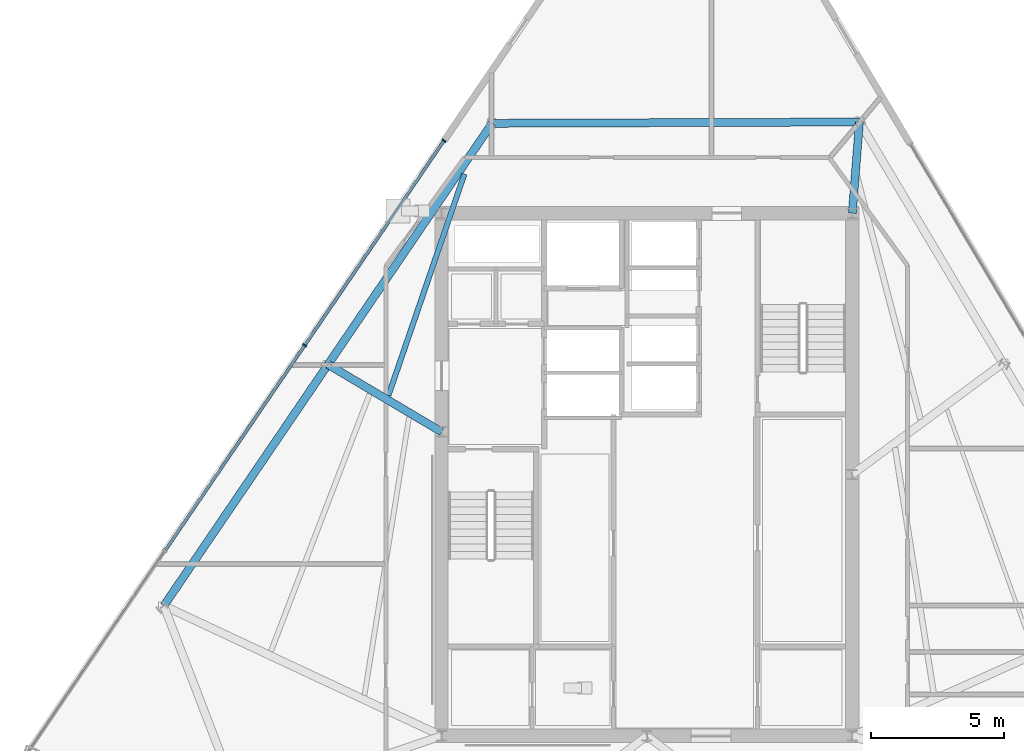
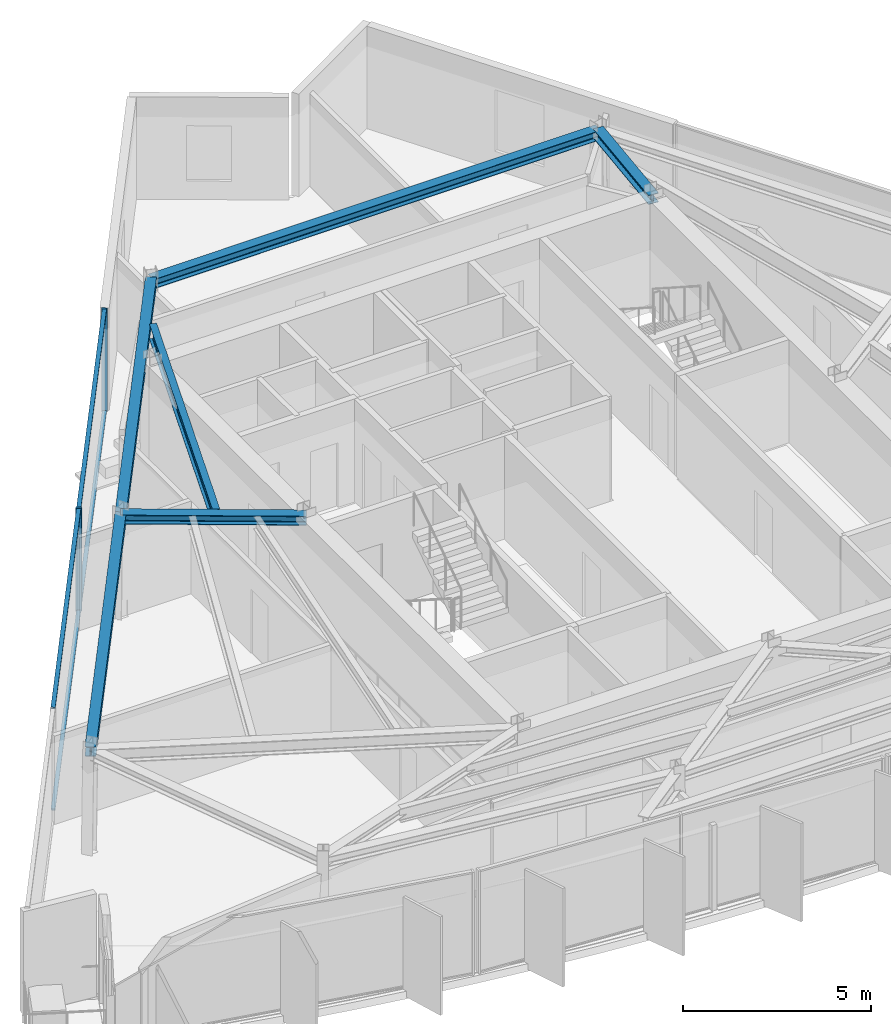
# One storey, part 4 of 12: 6 beams, 6 members, 1 element without a shape of its own.
"""IFC4 building model written with IfcOpenShell, lengths in metres."""

import ifcopenshell
import ifcopenshell.guid

model = None  # the IFC model being written
_history = None  # IfcOwnerHistory: only IFC2X3 demands one
_inside = {}  # id of a spatial element -> (the spatial element, [elements in it])
_under = {}  # id of a project, library or spatial element -> (it, [spatial elements below it])
_declared = {}  # id of a project -> (the project, [libraries it declares])
_typed = {}  # id of a type object -> (the type object, [elements of that type])
_made_of = {}  # id of a material, layer set ... -> (it, [elements and type objects made of it])


def new_model(schema):
    """Start an empty IFC model of exactly this schema.

    Asked for "IFC4X3", IfcOpenShell would pick the latest addendum, in which some entities
    have other attributes; the version numbers below select the first issue.
    IFC2X3 requires an IfcOwnerHistory on every rooted entity: one is made here for all.
    """
    global model, _history
    if schema == "IFC4X3":
        model = ifcopenshell.file(schema_version=(4, 3, 0, 0))
    else:
        model = ifcopenshell.file(schema=schema)
    _inside.clear()
    _under.clear()
    _declared.clear()
    _typed.clear()
    _made_of.clear()
    _history = None
    if model.schema == "IFC2X3":
        org = make("IfcOrganization", Name="unknown")
        user = make(
            "IfcPersonAndOrganization",
            ThePerson=make("IfcPerson", FamilyName="unknown"),
            TheOrganization=org,
        )
        app = make(
            "IfcApplication",
            ApplicationDeveloper=org,
            Version="unknown",
            ApplicationFullName="unknown",
            ApplicationIdentifier="unknown",
        )
        _history = make(
            "IfcOwnerHistory",
            OwningUser=user,
            OwningApplication=app,
            ChangeAction="ADDED",
            CreationDate=0,
        )
    return model


def make(cls, **values):
    """One entity of the class cls with the attributes given. An attribute that is None is left unset."""
    return model.create_entity(
        cls, **{name: value for name, value in values.items() if value is not None}
    )


def rooted(cls, **values):
    """An entity with a GlobalId (a new one), such as an element, a storey or a relation."""
    return make(cls, GlobalId=ifcopenshell.guid.new(), OwnerHistory=_history, **values)


def si_unit(unit_type, name, prefix=None):
    """IfcSIUnit, for example si_unit("LENGTHUNIT", "METRE", prefix="MILLI")."""
    return make("IfcSIUnit", UnitType=unit_type, Prefix=prefix, Name=name)


def assignment(units):
    """IfcUnitAssignment: the units of a project."""
    return None if units is None else make("IfcUnitAssignment", Units=units)


def point(xyz):
    """IfcCartesianPoint."""
    return None if xyz is None else make("IfcCartesianPoint", Coordinates=xyz)


def direction(xyz):
    """IfcDirection."""
    return None if xyz is None else make("IfcDirection", DirectionRatios=xyz)


def frame(location, z_axis=None, x_axis=None):
    """IfcAxis2Placement3D, a coordinate frame: its origin and axes. An axis left out is left unset."""
    return make(
        "IfcAxis2Placement3D",
        Location=point(location),
        Axis=direction(z_axis),
        RefDirection=direction(x_axis),
    )


def frame_2d(location, x_axis=None):
    """IfcAxis2Placement2D, a coordinate frame in the plane: its origin and x axis."""
    return make(
        "IfcAxis2Placement2D", Location=point(location), RefDirection=direction(x_axis)
    )


def origin():
    """The frame at (0, 0, 0) with its axes left unset."""
    return frame((0.0, 0.0, 0.0))


def origin_2d():
    """The frame at (0, 0) in the plane with its x axis left unset."""
    return frame_2d((0.0, 0.0))


def place(relative_to, where):
    """IfcLocalPlacement: puts the frame where relative to a parent placement (None: the world)."""
    return make(
        "IfcLocalPlacement", PlacementRelTo=relative_to, RelativePlacement=where
    )


def context(
    kind, dimensions, precision=None, world=None, true_north=None, identifier=None
):
    """IfcGeometricRepresentationContext, for example the 3D "Model" context."""
    return make(
        "IfcGeometricRepresentationContext",
        ContextIdentifier=identifier,
        ContextType=kind,
        CoordinateSpaceDimension=dimensions,
        Precision=precision,
        WorldCoordinateSystem=world,
        TrueNorth=true_north,
    )


def subcontext(parent, identifier, kind, view, scale=None):
    """IfcGeometricRepresentationSubContext, for example "Body" below "Model"."""
    return make(
        "IfcGeometricRepresentationSubContext",
        ContextIdentifier=identifier,
        ContextType=kind,
        ParentContext=parent,
        TargetScale=scale,
        TargetView=view,
    )


def project(units=None, contexts=None):
    """IfcProject with its units and contexts."""
    return rooted(
        "IfcProject",
        Name="project",
        RepresentationContexts=contexts,
        UnitsInContext=assignment(units),
    )


def spatial(cls, under=None, at=None, **own):
    """A site, building, storey or space (cls), placed at a placement, below another one or the project."""
    s = rooted(cls, ObjectPlacement=at, **own)
    if under is not None:
        _under.setdefault(under.id(), (under, []))[1].append(s)
    return s


def profile(cls, at=None, kind="AREA", **sizes):
    """A parametric profile (cls). Its sizes go by their IFC names, for example OverallWidth=200.0."""
    return make(cls, ProfileType=kind, Position=at, **sizes)


def rectangle(**sizes):
    """IfcRectangleProfileDef."""
    return profile("IfcRectangleProfileDef", **sizes)


def i_section(**sizes):
    """IfcIShapeProfileDef."""
    return profile("IfcIShapeProfileDef", **sizes)


def extrude(swept, where, along, depth):
    """IfcExtrudedAreaSolid: the profile swept, set in the frame where, extruded along a direction by depth."""
    return make(
        "IfcExtrudedAreaSolid",
        SweptArea=swept,
        Position=where,
        ExtrudedDirection=direction(along),
        Depth=depth,
    )


def shape(context_of_items, identifier, shape_type, items):
    """IfcShapeRepresentation: the items that make up one representation, for example the "Body"."""
    return make(
        "IfcShapeRepresentation",
        ContextOfItems=context_of_items,
        RepresentationIdentifier=identifier,
        RepresentationType=shape_type,
        Items=items,
    )


def material(Name=None, Category=None):
    """IfcMaterial."""
    return make("IfcMaterial", Name=Name, Category=Category)


def material_profile(
    of_material, cross_section, Name=None, Category=None, Priority=None
):
    """IfcMaterialProfile: a cross section and its material."""
    return make(
        "IfcMaterialProfile",
        Name=Name,
        Material=of_material,
        Profile=cross_section,
        Priority=Priority,
        Category=Category,
    )


def profile_set(profiles, Name=None, composite=None):
    """IfcMaterialProfileSet."""
    return make(
        "IfcMaterialProfileSet",
        Name=Name,
        MaterialProfiles=profiles,
        CompositeProfile=composite,
    )


def made_of(thing, what):
    """Note that an element or type object is made of a material, layer set ...; save() writes the relation."""
    if what is not None:
        _made_of.setdefault(what.id(), (what, []))[1].append(thing)
    return thing


def type_object(cls, material=None, **own):
    """A type object (cls), such as IfcWallType, which elements share."""
    return made_of(rooted(cls, **own), material)


def element(
    cls,
    number,
    at=None,
    inside=None,
    cuts=None,
    type_object=None,
    material=None,
    context=None,
    identifier="Body",
    shape_type=None,
    held_by="IfcProductDefinitionShape",
    body=None,
    shapes=None,
    **own,
):
    """One element of the class cls, such as IfcWall. Its Tag is "e" and its number.

    at: its placement. inside: the storey or other place that contains it. cuts: it is an
    opening in that element (IfcRelVoidsElement). A single representation is given by context,
    identifier, shape_type and body (its items); several are given by shapes. held_by: the class
    of the entity that holds the representations. save() writes the other relations.
    """
    e = rooted(cls, Tag="e%d" % number, ObjectPlacement=at, **own)
    if body is not None:
        shapes = [shape(context, identifier, shape_type, body)]
    if shapes is not None:
        e.Representation = make(held_by, Representations=shapes)
    if inside is not None:
        _inside.setdefault(inside.id(), (inside, []))[1].append(e)
    if cuts is not None:
        rooted(
            "IfcRelVoidsElement", RelatingBuildingElement=cuts, RelatedOpeningElement=e
        )
    if type_object is not None:
        _typed.setdefault(type_object.id(), (type_object, []))[1].append(e)
    return made_of(e, material)


def aggregate(whole, parts):
    """IfcRelAggregates: a whole, such as a stair, and the parts it consists of."""
    return rooted("IfcRelAggregates", RelatingObject=whole, RelatedObjects=parts)


def save(model, path):
    """Write the relations noted so far, then the file.

    IfcRelAggregates (storeys below a building ...), IfcRelContainedInSpatialStructure (elements
    in a storey), IfcRelDefinesByType, IfcRelAssociatesMaterial and IfcRelDeclares: one each for
    every whole, place, type object, material and project.
    """
    for whole, parts in _under.values():
        aggregate(whole, parts)
    for where, things in _inside.values():
        rooted(
            "IfcRelContainedInSpatialStructure",
            RelatedElements=things,
            RelatingStructure=where,
        )
    for kind, things in _typed.values():
        rooted("IfcRelDefinesByType", RelatedObjects=things, RelatingType=kind)
    for what, things in _made_of.values():
        rooted("IfcRelAssociatesMaterial", RelatedObjects=things, RelatingMaterial=what)
    for by, libraries in _declared.values():
        rooted("IfcRelDeclares", RelatingContext=by, RelatedDefinitions=libraries)
    model.write(path)


model = new_model("IFC4")

# Units and contexts
model_context = context("Model", 3, precision=1e-05, world=origin(), true_north=direction((0.0, 1.0)))
body_context = subcontext(model_context, "Body", "Model", "MODEL_VIEW")
ifc_project = project(units=[si_unit("LENGTHUNIT", "METRE"), si_unit("AREAUNIT", "SQUARE_METRE"), si_unit("VOLUMEUNIT", "CUBIC_METRE"), si_unit("PLANEANGLEUNIT", "RADIAN"), si_unit("MASSUNIT", "GRAM", prefix="KILO")], contexts=[model_context])

# Site, building, storey
site_placement = place(None, origin())
site = spatial("IfcSite", under=ifc_project, at=site_placement, CompositionType="ELEMENT")
building_placement = place(site_placement, origin())
building = spatial("IfcBuilding", under=site, at=building_placement, Name="Savorim Split Tower", CompositionType="ELEMENT")
storey_placement = place(building_placement, frame((0.0, 0.0, 279.60009765625)))
storey = spatial("IfcBuildingStorey", under=building, at=storey_placement, Name="L74", CompositionType="ELEMENT", Elevation=279.60009765625)

# Beams
ifc_material_1 = material(Name="Steel S355", Category="steel")
ifc_material_profile_1 = material_profile(ifc_material_1, i_section(OverallWidth=0.199951171875, OverallDepth=0.5, WebThickness=0.01025390625, FlangeThickness=0.01611328125, FilletRadius=0.02099609375, at=origin_2d()), Name="IPE 500")
ifc_profile_set_1 = profile_set([ifc_material_profile_1], Name="Steel S355")
beam_type_1 = type_object("IfcBeamType", Name="BM-JST-IPE500", PredefinedType="JOIST", material=ifc_profile_set_1)
beam_1_placement = place(storey_placement, frame((-6.84228515625, 11.666259765625, 3.099853515625), z_axis=(-0.324625057158, -0.945842784117, 0.0), x_axis=(0.945842784117, -0.324625057158, 0.0)))
element("IfcBeam", 1, at=beam_1_placement, inside=storey, type_object=beam_type_1, Name="L74 Secondary Floor Joist JS-09", PredefinedType="JOIST", context=body_context, shape_type="SweptSolid", body=[
    extrude(i_section(OverallWidth=0.199951171875, OverallDepth=0.5, WebThickness=0.01025390625, FlangeThickness=0.01611328125, FilletRadius=0.02099609375, at=origin_2d()), origin(), (0.0, 0.0, 1.0), 8.77880859375),
])
ifc_material_profile_2 = material_profile(ifc_material_1, i_section(OverallWidth=0.300048828125, OverallDepth=0.300048828125, WebThickness=0.010986328125, FlangeThickness=0.01904296875, FilletRadius=0.027099609375, at=origin_2d()), Name="HEB 300")
ifc_profile_set_2 = profile_set([ifc_material_profile_2], Name="Steel S355")
beam_type_2 = type_object("IfcBeamType", Name="BM-PRI-HEB300", PredefinedType="BEAM", material=ifc_profile_set_2)
beam_2_placement = place(storey_placement, frame((7.96923828125, 13.618408203125, 3.199951171875), z_axis=(-0.078531178322, -0.996911658088, 0.0), x_axis=(0.996911658088, -0.078531178322, 0.0)))
element("IfcBeam", 2, at=beam_2_placement, inside=storey, type_object=beam_type_2, Name="L74 Primary Floor Girder RG-07", PredefinedType="BEAM", context=body_context, shape_type="SweptSolid", body=[
    extrude(i_section(OverallWidth=0.300048828125, OverallDepth=0.300048828125, WebThickness=0.010986328125, FlangeThickness=0.01904296875, FilletRadius=0.027099609375, at=origin_2d()), origin(), (0.0, 0.0, 1.0), 3.428955078125),
])
beam_3_placement = place(storey_placement, frame((-11.95849609375, 4.52392578125, 3.199951171875), z_axis=(0.860261089871, -0.509853760654, 0.0), x_axis=(0.509853760654, 0.860261089871, 0.0)))
element("IfcBeam", 3, at=beam_3_placement, inside=storey, type_object=beam_type_2, Name="L74 Primary Floor Girder RG-09", PredefinedType="BEAM", context=body_context, shape_type="SweptSolid", body=[
    extrude(i_section(OverallWidth=0.300048828125, OverallDepth=0.300048828125, WebThickness=0.010986328125, FlangeThickness=0.01904296875, FilletRadius=0.027099609375, at=origin_2d()), origin(), (0.0, 0.0, 1.0), 4.9501953125),
])
ifc_material_profile_3 = material_profile(ifc_material_1, i_section(OverallWidth=0.300048828125, OverallDepth=0.31005859375, WebThickness=0.009033203125, FlangeThickness=0.015380859375, FilletRadius=0.027099609375, at=origin_2d()), Name="HEA 320")
ifc_profile_set_3 = profile_set([ifc_material_profile_3], Name="Steel S355")
beam_type_3 = type_object("IfcBeamType", Name="BM-SPN-HEA320", PredefinedType="SPANDREL", material=ifc_profile_set_3)
beam_4_placement = place(storey_placement, frame((7.96923828125, 13.618408203125, 3.19482421875), z_axis=(-0.999993717106, -0.003544819983, 0.0), x_axis=(0.003544819983, -0.999993717106, 0.0)))
element("IfcBeam", 4, at=beam_4_placement, inside=storey, type_object=beam_type_3, Name="L74 Perimeter Spandrel Beam 7", PredefinedType="SPANDREL", context=body_context, shape_type="SweptSolid", body=[
    extrude(i_section(OverallWidth=0.300048828125, OverallDepth=0.31005859375, WebThickness=0.009033203125, FlangeThickness=0.015380859375, FilletRadius=0.027099609375, at=origin_2d()), origin(), (0.0, 0.0, 1.0), 13.7744140625),
])
for number, where, z_axis, x_axis, name in (
    (5, (-5.80517578125, 13.569580078125, 3.19482421875), (-0.562452234805, -0.826829779073, 0.0), (0.826829779073, -0.562452234805, 0.0), "L74 Perimeter Spandrel Beam 8"),
    (6, (-11.95849609375, 4.52392578125, 3.19482421875), (-0.562493124489, -0.826801962324, 0.0), (0.826801962324, -0.562493124489, 0.0), "L74 Perimeter Spandrel Beam 9"),
):
    element("IfcBeam", number, at=place(storey_placement, frame(where, z_axis=z_axis, x_axis=x_axis)), inside=storey, type_object=beam_type_3, Name=name, PredefinedType="SPANDREL", context=body_context, shape_type="SweptSolid", body=[
        extrude(i_section(OverallWidth=0.300048828125, OverallDepth=0.31005859375, WebThickness=0.009033203125, FlangeThickness=0.015380859375, FilletRadius=0.027099609375, at=origin_2d()), origin(), (0.0, 0.0, 1.0), 10.940185546875),
    ])

# Curtain wall, members
ifc_material_2 = material(Name="Dark Ceramic-Fritted Insulated Glass", Category="glass")
curtain_wall_type = type_object("IfcCurtainWallType", Name="CW-TWR-FRIT-B", PredefinedType="NOTDEFINED", material=ifc_material_2)
curtain_wall_placement = place(storey_placement, origin())
curtain_wall = element("IfcCurtainWall", 7, at=curtain_wall_placement, inside=storey, type_object=curtain_wall_type, Name="L74 Curtain Wall CW-L74-WEST", PredefinedType="NOTDEFINED")
ifc_material_3 = material(Name="Charcoal Anodised Aluminium", Category="aluminium")
ifc_material_profile_4 = material_profile(ifc_material_3, rectangle(XDim=0.159912109375, YDim=0.06005859375, at=origin_2d()), Name="ALU-M 160x60")
ifc_profile_set_4 = profile_set([ifc_material_profile_4], Name="Charcoal Anodised Aluminium")
member_type_1 = type_object("IfcMemberType", Name="CWM-160x60", PredefinedType="MULLION", material=ifc_profile_set_4)
member_1_placement = place(storey_placement, frame((-7.610107421875, 12.919677734375, 0.0), z_axis=(0.0, 0.0, 1.0), x_axis=(0.826817636776, -0.562470084107, 0.0)))
member_1 = element("IfcMember", 8, at=member_1_placement, type_object=member_type_1, Name="CW-03 mullion 1", PredefinedType="MULLION", context=body_context, shape_type="SweptSolid", body=[
    extrude(rectangle(XDim=0.159912109375, YDim=0.06005859375, at=origin_2d()), origin(), (0.0, 0.0, 1.0), 3.349853515625),
])
member_2_placement = place(storey_placement, frame((-12.831298828125, 5.24462890625, 0.0), z_axis=(0.0, 0.0, 1.0), x_axis=(0.826817636776, -0.562470084107, 0.0)))
member_2 = element("IfcMember", 9, at=member_2_placement, type_object=member_type_1, Name="CW-03 mullion 2", PredefinedType="MULLION", context=body_context, shape_type="SweptSolid", body=[
    extrude(rectangle(XDim=0.159912109375, YDim=0.06005859375, at=origin_2d()), origin(), (0.0, 0.0, 1.0), 3.349853515625),
])
ifc_material_profile_5 = material_profile(ifc_material_3, rectangle(XDim=0.1201171875, YDim=0.050048828125, at=origin_2d()), Name="ALU-T 120x50")
ifc_profile_set_5 = profile_set([ifc_material_profile_5], Name="Charcoal Anodised Aluminium")
member_type_2 = type_object("IfcMemberType", Name="CWT-120x50", PredefinedType="USERDEFINED", material=ifc_profile_set_5)
member_3_placement = place(storey_placement, frame((-7.626953125, 12.894775390625, 0.02490234375), z_axis=(-0.562483063677, -0.826808806845, 0.0), x_axis=(0.826808806845, -0.562483063677, 0.0)))
member_3 = element("IfcMember", 10, at=member_3_placement, type_object=member_type_2, Name="CW-03 transom 1.1", ObjectType="TRANSOM", PredefinedType="USERDEFINED", context=body_context, shape_type="SweptSolid", body=[
    extrude(rectangle(XDim=0.1201171875, YDim=0.050048828125, at=origin_2d()), origin(), (0.0, 0.0, 1.0), 9.222412109375),
])
member_4_placement = place(storey_placement, frame((-7.626953125, 12.894775390625, 3.324951171875), z_axis=(-0.562483063677, -0.826808806845, 0.0), x_axis=(0.826808806845, -0.562483063677, 0.0)))
member_4 = element("IfcMember", 11, at=member_4_placement, type_object=member_type_2, Name="CW-03 transom 1.2", ObjectType="TRANSOM", PredefinedType="USERDEFINED", context=body_context, shape_type="SweptSolid", body=[
    extrude(rectangle(XDim=0.1201171875, YDim=0.050048828125, at=origin_2d()), origin(), (0.0, 0.0, 1.0), 9.222412109375),
])
member_5_placement = place(storey_placement, frame((-12.84814453125, 5.219970703125, 0.02490234375), z_axis=(-0.562463735755, -0.826821955417, 0.0), x_axis=(0.826821955417, -0.562463735755, 0.0)))
member_5 = element("IfcMember", 12, at=member_5_placement, type_object=member_type_2, Name="CW-03 transom 2.1", ObjectType="TRANSOM", PredefinedType="USERDEFINED", context=body_context, shape_type="SweptSolid", body=[
    extrude(rectangle(XDim=0.1201171875, YDim=0.050048828125, at=origin_2d()), origin(), (0.0, 0.0, 1.0), 9.252685546875),
])
member_6_placement = place(storey_placement, frame((-12.84814453125, 5.219970703125, 3.324951171875), z_axis=(-0.562463735755, -0.826821955417, 0.0), x_axis=(0.826821955417, -0.562463735755, 0.0)))
member_6 = element("IfcMember", 13, at=member_6_placement, type_object=member_type_2, Name="CW-03 transom 2.2", ObjectType="TRANSOM", PredefinedType="USERDEFINED", context=body_context, shape_type="SweptSolid", body=[
    extrude(rectangle(XDim=0.1201171875, YDim=0.050048828125, at=origin_2d()), origin(), (0.0, 0.0, 1.0), 9.252685546875),
])
aggregate(curtain_wall, [member_1, member_2, member_3, member_4, member_5, member_6])

save(model, "model.ifc")
